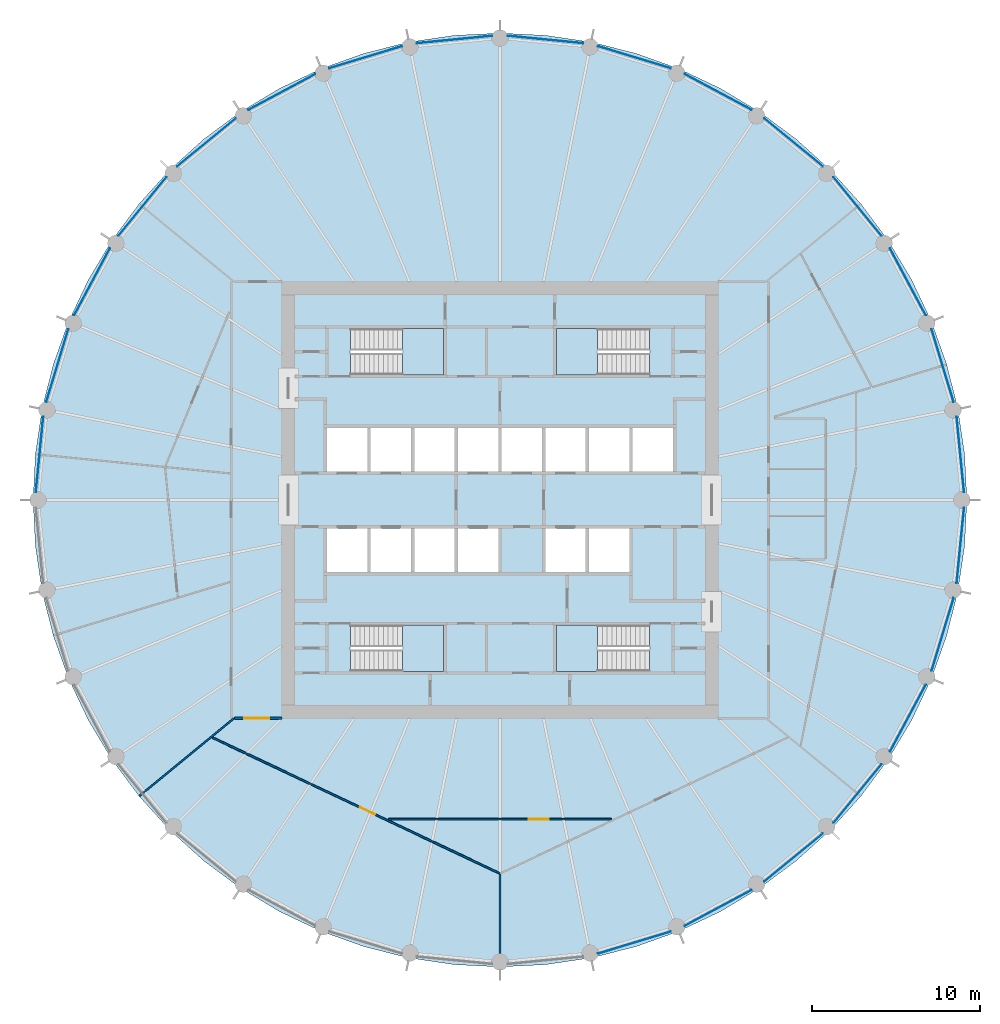
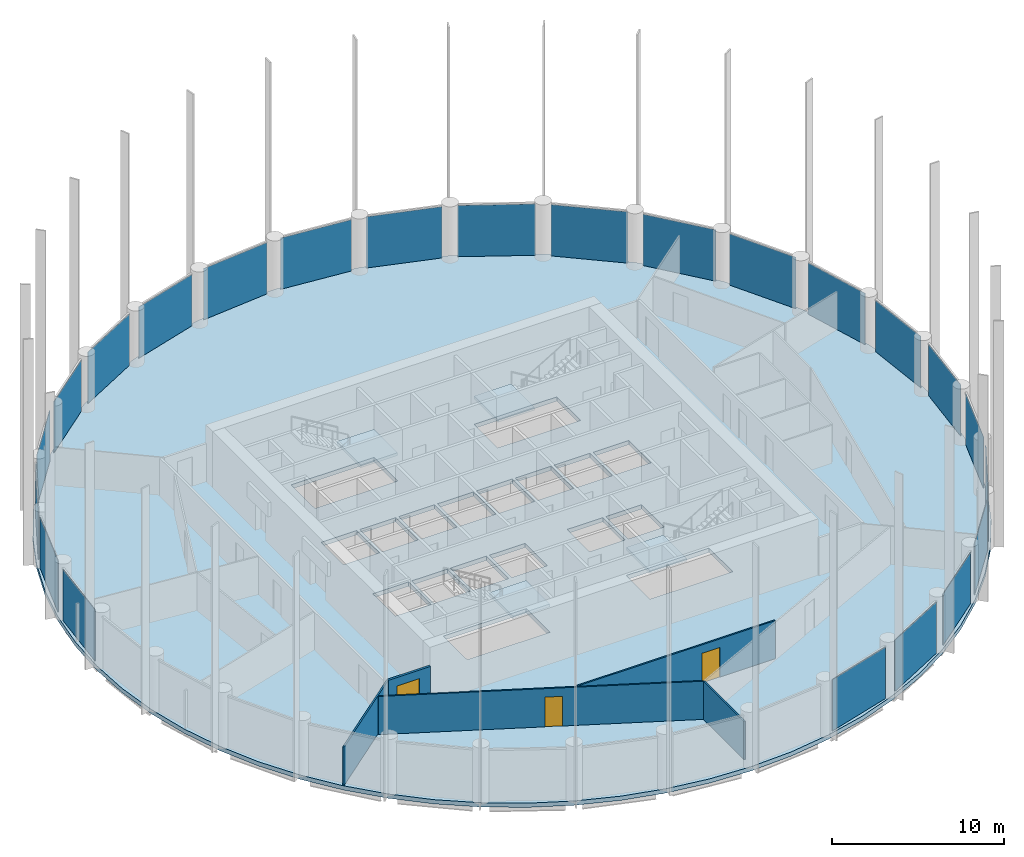
# One storey, part 3 of 9: 23 plates, 5 slabs, 5 walls, 3 doors, 3 openings, 27 elements without a shape of their own.
"""IFC4 building model written with IfcOpenShell, lengths in metres."""

from ifc_helpers import new_model, si_unit, direction, frame, frame_2d, origin, origin_2d, place, context, subcontext, project, spatial, polyline, rectangle, outline, extrude, material, layer, layer_set, type_object, element, fill, aggregate, save


model = new_model("IFC4")

# Units and contexts
model_context = context("Model", 3, precision=1e-05, world=origin(), true_north=direction((0.0, 1.0)))
body_context = subcontext(model_context, "Body", "Model", "MODEL_VIEW")
ifc_project = project(units=[si_unit("LENGTHUNIT", "METRE"), si_unit("AREAUNIT", "SQUARE_METRE"), si_unit("VOLUMEUNIT", "CUBIC_METRE"), si_unit("PLANEANGLEUNIT", "RADIAN"), si_unit("MASSUNIT", "GRAM", prefix="KILO")], contexts=[model_context])

# Site, building, storey
site_placement = place(None, origin())
site = spatial("IfcSite", under=ifc_project, at=site_placement, CompositionType="ELEMENT")
building_placement = place(site_placement, origin())
building = spatial("IfcBuilding", under=site, at=building_placement, Name="Corvane Civic Tower", CompositionType="ELEMENT")
storey_placement = place(building_placement, frame((0.0, 0.0, 217.5)))
storey = spatial("IfcBuildingStorey", under=building, at=storey_placement, Name="L51", CompositionType="ELEMENT", Elevation=217.5)

# Slab
ifc_material_1 = material(Name="Concrete C40/50", Category="concrete")
ifc_layer_1 = layer(ifc_material_1, 0.300048828125)
ifc_layer_set_1 = layer_set([ifc_layer_1], Name="Concrete C40/50")
slab_type_1 = type_object("IfcSlabType", Name="FLOOR SLAB 300", PredefinedType="FLOOR", material=ifc_layer_set_1)
slab_1_placement = place(storey_placement, frame((0.0, 0.0, -0.300048828125)))
element("IfcSlab", 1, at=slab_1_placement, inside=storey, type_object=slab_type_1, Name="SLB-L51", PredefinedType="FLOOR", context=body_context, shape_type="SweptSolid", body=[
    extrude(outline(polyline([(0.0, 27.800048828125), (-2.724853515625, 27.666015625), (-5.423583984375, 27.265869140625), (-8.06982421875, 26.60302734375), (-10.638671875, 25.683837890625), (-13.104736328125, 24.517333984375), (-15.44482421875, 23.11474609375), (-17.63623046875, 21.48974609375), (-19.657470703125, 19.657470703125), (-21.48974609375, 17.63623046875), (-23.11474609375, 15.44482421875), (-24.517333984375, 13.104736328125), (-25.683837890625, 10.638671875), (-26.60302734375, 8.06982421875), (-27.265869140625, 5.423583984375), (-27.666015625, 2.724853515625), (-27.800048828125, 0.0), (-27.666015625, -2.724853515625), (-27.265869140625, -5.423583984375), (-26.60302734375, -8.06982421875), (-25.683837890625, -10.638671875), (-24.517333984375, -13.104736328125), (-23.11474609375, -15.44482421875), (-21.48974609375, -17.63623046875), (-19.657470703125, -19.657470703125), (-17.63623046875, -21.48974609375), (-15.44482421875, -23.11474609375), (-13.104736328125, -24.517333984375), (-10.638671875, -25.683837890625), (-8.06982421875, -26.60302734375), (-5.423583984375, -27.265869140625), (-2.724853515625, -27.666015625), (0.0, -27.800048828125), (2.724853515625, -27.666015625), (5.423583984375, -27.265869140625), (8.06982421875, -26.60302734375), (10.638671875, -25.683837890625), (13.104736328125, -24.517333984375), (15.44482421875, -23.11474609375), (17.63623046875, -21.48974609375), (19.657470703125, -19.657470703125), (21.48974609375, -17.63623046875), (23.11474609375, -15.44482421875), (24.517333984375, -13.104736328125), (25.683837890625, -10.638671875), (26.60302734375, -8.06982421875), (27.265869140625, -5.423583984375), (27.666015625, -2.724853515625), (27.800048828125, 0.0), (27.666015625, 2.724853515625), (27.265869140625, 5.423583984375), (26.60302734375, 8.06982421875), (25.683837890625, 10.638671875), (24.517333984375, 13.104736328125), (23.11474609375, 15.44482421875), (21.48974609375, 17.63623046875), (19.657470703125, 19.657470703125), (17.63623046875, 21.48974609375), (15.44482421875, 23.11474609375), (13.104736328125, 24.517333984375), (10.638671875, 25.683837890625), (8.06982421875, 26.60302734375), (5.423583984375, 27.265869140625), (2.724853515625, 27.666015625), (0.0, 27.800048828125)]), holes=[polyline([(-7.89990234375, 1.699951171875), (-10.300048828125, 1.699951171875), (-10.300048828125, 4.300048828125), (-7.89990234375, 4.300048828125), (-7.89990234375, 1.699951171875)]), polyline([(-5.300048828125, 1.699951171875), (-7.699951171875, 1.699951171875), (-7.699951171875, 4.300048828125), (-5.300048828125, 4.300048828125), (-5.300048828125, 1.699951171875)]), polyline([(-5.10009765625, 4.300048828125), (-2.699951171875, 4.300048828125), (-2.699951171875, 1.699951171875), (-5.10009765625, 1.699951171875), (-5.10009765625, 4.300048828125)]), polyline([(-2.5, 4.300048828125), (-0.10009765625, 4.300048828125), (-0.10009765625, 1.699951171875), (-2.5, 1.699951171875), (-2.5, 4.300048828125)]), polyline([(0.10009765625, 4.300048828125), (2.5, 4.300048828125), (2.5, 1.699951171875), (0.10009765625, 1.699951171875), (0.10009765625, 4.300048828125)]), polyline([(5.10009765625, 4.300048828125), (5.10009765625, 1.699951171875), (2.699951171875, 1.699951171875), (2.699951171875, 4.300048828125), (5.10009765625, 4.300048828125)]), polyline([(5.300048828125, 4.300048828125), (7.699951171875, 4.300048828125), (7.699951171875, 1.699951171875), (5.300048828125, 1.699951171875), (5.300048828125, 4.300048828125)]), polyline([(7.89990234375, 4.300048828125), (10.300048828125, 4.300048828125), (10.300048828125, 1.699951171875), (7.89990234375, 1.699951171875), (7.89990234375, 4.300048828125)]), polyline([(-10.300048828125, -4.300048828125), (-10.300048828125, -1.699951171875), (-7.89990234375, -1.699951171875), (-7.89990234375, -4.300048828125), (-10.300048828125, -4.300048828125)]), polyline([(-7.699951171875, -4.300048828125), (-7.699951171875, -1.699951171875), (-5.300048828125, -1.699951171875), (-5.300048828125, -4.300048828125), (-7.699951171875, -4.300048828125)]), polyline([(-2.699951171875, -4.300048828125), (-5.10009765625, -4.300048828125), (-5.10009765625, -1.699951171875), (-2.699951171875, -1.699951171875), (-2.699951171875, -4.300048828125)]), polyline([(-0.10009765625, -4.300048828125), (-2.5, -4.300048828125), (-2.5, -1.699951171875), (-0.10009765625, -1.699951171875), (-0.10009765625, -4.300048828125)]), polyline([(5.10009765625, -1.699951171875), (5.10009765625, -4.300048828125), (2.699951171875, -4.300048828125), (2.699951171875, -1.699951171875), (5.10009765625, -1.699951171875)]), polyline([(7.699951171875, -1.699951171875), (7.699951171875, -4.300048828125), (5.300048828125, -4.300048828125), (5.300048828125, -1.699951171875), (7.699951171875, -1.699951171875)]), polyline([(8.889892578125, 10.199951171875), (8.889892578125, 7.449951171875), (3.35009765625, 7.449951171875), (3.35009765625, 10.199951171875), (8.889892578125, 10.199951171875)]), polyline([(-8.889892578125, 7.449951171875), (-8.889892578125, 10.199951171875), (-3.35009765625, 10.199951171875), (-3.35009765625, 7.449951171875), (-8.889892578125, 7.449951171875)]), polyline([(8.889892578125, -7.449951171875), (8.889892578125, -10.199951171875), (3.35009765625, -10.199951171875), (3.35009765625, -7.449951171875), (8.889892578125, -7.449951171875)]), polyline([(-8.889892578125, -10.199951171875), (-8.889892578125, -7.449951171875), (-3.35009765625, -7.449951171875), (-3.35009765625, -10.199951171875), (-8.889892578125, -10.199951171875)])]), origin(), (0.0, 0.0, 1.0), 0.300048828125),
])

# Stair, slab
ifc_material_2 = material(Name="Concrete C40/50", Category="concrete")
stair_type = type_object("IfcStairType", Name="ST-STAIR-HALFTURN", PredefinedType="HALF_TURN_STAIR", material=ifc_material_2)
stair_1_placement = place(storey_placement, origin())
stair_1 = element("IfcStair", 2, at=stair_1_placement, inside=storey, type_object=stair_type, Name="L51 Exit stair ST1", PredefinedType="HALF_TURN_STAIR")
ifc_material_3 = material(Name="Concrete C40/50", Category="concrete")
ifc_layer_2 = layer(ifc_material_3, 0.199951171875)
ifc_layer_set_2 = layer_set([ifc_layer_2], Name="Concrete C40/50")
slab_type_2 = type_object("IfcSlabType", Name="ST-LANDING-RC", PredefinedType="LANDING", material=ifc_layer_set_2)
slab_2_placement = place(storey_placement, frame((0.0, 0.0, 1.800048828125)))
slab_2 = element("IfcSlab", 3, at=slab_2_placement, type_object=slab_type_2, Name="ST1 landing 1", PredefinedType="LANDING", context=body_context, shape_type="SweptSolid", body=[
    extrude(outline(polyline([(5.820068359375, 10.199951171875), (3.35009765625, 10.199951171875), (3.35009765625, 7.449951171875), (5.820068359375, 7.449951171875), (5.820068359375, 10.199951171875)])), origin(), (0.0, 0.0, 1.0), 0.199951171875),
])
aggregate(stair_1, [slab_2])

stair_2_placement = place(storey_placement, origin())
stair_2 = element("IfcStair", 4, at=stair_2_placement, inside=storey, type_object=stair_type, Name="L51 Exit stair ST2", PredefinedType="HALF_TURN_STAIR")
slab_3_placement = place(storey_placement, frame((0.0, 0.0, 1.800048828125)))
slab_3 = element("IfcSlab", 5, at=slab_3_placement, type_object=slab_type_2, Name="ST2 landing 1", PredefinedType="LANDING", context=body_context, shape_type="SweptSolid", body=[
    extrude(outline(polyline([(5.820068359375, -7.449951171875), (3.35009765625, -7.449951171875), (3.35009765625, -10.199951171875), (5.820068359375, -10.199951171875), (5.820068359375, -7.449951171875)])), origin(), (0.0, 0.0, 1.0), 0.199951171875),
])
aggregate(stair_2, [slab_3])

stair_3_placement = place(storey_placement, origin())
stair_3 = element("IfcStair", 6, at=stair_3_placement, inside=storey, type_object=stair_type, Name="L51 Exit stair ST3", PredefinedType="HALF_TURN_STAIR")
slab_4_placement = place(storey_placement, frame((0.0, 0.0, 1.800048828125)))
slab_4 = element("IfcSlab", 7, at=slab_4_placement, type_object=slab_type_2, Name="ST3 landing 1", PredefinedType="LANDING", context=body_context, shape_type="SweptSolid", body=[
    extrude(outline(polyline([(-5.820068359375, -10.199951171875), (-3.35009765625, -10.199951171875), (-3.35009765625, -7.449951171875), (-5.820068359375, -7.449951171875), (-5.820068359375, -10.199951171875)])), origin(), (0.0, 0.0, 1.0), 0.199951171875),
])
aggregate(stair_3, [slab_4])

stair_4_placement = place(storey_placement, origin())
stair_4 = element("IfcStair", 8, at=stair_4_placement, inside=storey, type_object=stair_type, Name="L51 Exit stair ST4", PredefinedType="HALF_TURN_STAIR")
slab_5_placement = place(storey_placement, frame((0.0, 0.0, 1.800048828125)))
slab_5 = element("IfcSlab", 9, at=slab_5_placement, type_object=slab_type_2, Name="ST4 landing 1", PredefinedType="LANDING", context=body_context, shape_type="SweptSolid", body=[
    extrude(outline(polyline([(-5.820068359375, 7.449951171875), (-3.35009765625, 7.449951171875), (-3.35009765625, 10.199951171875), (-5.820068359375, 10.199951171875), (-5.820068359375, 7.449951171875)])), origin(), (0.0, 0.0, 1.0), 0.199951171875),
])
aggregate(stair_4, [slab_5])

# Curtain wall, plate
ifc_material_4 = material(Name="Anodised aluminium bronze", Category="aluminium")
curtain_wall_type = type_object("IfcCurtainWallType", Name="TOWER CW-T2 STICK CURTAIN WALL", PredefinedType="NOTDEFINED", material=ifc_material_4)
curtain_wall_1_placement = place(storey_placement, origin())
curtain_wall_1 = element("IfcCurtainWall", 10, at=curtain_wall_1_placement, inside=storey, type_object=curtain_wall_type, Name="Curtain wall CW-T2 L51 bay 01", PredefinedType="NOTDEFINED")
ifc_material_5 = material(Name="Tinted glass", Category="glass")
ifc_layer_3 = layer(ifc_material_5, 0.031982421875)
ifc_layer_set_3 = layer_set([ifc_layer_3], Name="Tinted glass")
plate_type = type_object("IfcPlateType", Name="TOWER CW-T2 PANEL IGU32", PredefinedType="CURTAIN_PANEL", material=ifc_layer_set_3)
plate_1_placement = place(storey_placement, frame((2.699951171875, 27.4140625, 0.0), z_axis=(0.0, 0.0, 1.0), x_axis=(0.995187058378, -0.097993463235, 0.0)))
plate_1 = element("IfcPlate", 11, at=plate_1_placement, type_object=plate_type, Name="Glass panel CW-T2 L51 01.1", PredefinedType="CURTAIN_PANEL", context=body_context, shape_type="SweptSolid", body=[
    extrude(rectangle(XDim=4.517333984375, YDim=0.031982421875, at=origin_2d()), origin(), (0.0, 0.0, 1.0), 3.6298828125),
])
aggregate(curtain_wall_1, [plate_1])

curtain_wall_2_placement = place(storey_placement, origin())
curtain_wall_2 = element("IfcCurtainWall", 12, at=curtain_wall_2_placement, inside=storey, type_object=curtain_wall_type, Name="Curtain wall CW-T2 L51 bay 02", PredefinedType="NOTDEFINED")
plate_2_placement = place(storey_placement, frame((7.996337890625, 26.360595703125, 0.0), z_axis=(0.0, 0.0, 1.0), x_axis=(0.956938843612, -0.290289596069, 0.0)))
plate_2 = element("IfcPlate", 13, at=plate_2_placement, type_object=plate_type, Name="Glass panel CW-T2 L51 02.1", PredefinedType="CURTAIN_PANEL", context=body_context, shape_type="SweptSolid", body=[
    extrude(rectangle(XDim=4.517333984375, YDim=0.031982421875, at=origin_2d()), origin(), (0.0, 0.0, 1.0), 3.6298828125),
])
aggregate(curtain_wall_2, [plate_2])

curtain_wall_3_placement = place(storey_placement, origin())
curtain_wall_3 = element("IfcCurtainWall", 14, at=curtain_wall_3_placement, inside=storey, type_object=curtain_wall_type, Name="Curtain wall CW-T2 L51 bay 03", PredefinedType="NOTDEFINED")
plate_3_placement = place(storey_placement, frame((12.9853515625, 24.294189453125, 0.0), z_axis=(0.0, 0.0, 1.0), x_axis=(0.881920381001, -0.471398389449, 0.0)))
plate_3 = element("IfcPlate", 15, at=plate_3_placement, type_object=plate_type, Name="Glass panel CW-T2 L51 03.1", PredefinedType="CURTAIN_PANEL", context=body_context, shape_type="SweptSolid", body=[
    extrude(rectangle(XDim=4.517333984375, YDim=0.031982421875, at=origin_2d()), origin(), (0.0, 0.0, 1.0), 3.6298828125),
])
aggregate(curtain_wall_3, [plate_3])

curtain_wall_4_placement = place(storey_placement, origin())
curtain_wall_4 = element("IfcCurtainWall", 16, at=curtain_wall_4_placement, inside=storey, type_object=curtain_wall_type, Name="Curtain wall CW-T2 L51 bay 04", PredefinedType="NOTDEFINED")
plate_4_placement = place(storey_placement, frame((17.475341796875, 21.2939453125, 0.0), z_axis=(0.0, 0.0, 1.0), x_axis=(0.773012269331, -0.634391071394, 0.0)))
plate_4 = element("IfcPlate", 17, at=plate_4_placement, type_object=plate_type, Name="Glass panel CW-T2 L51 04.1", PredefinedType="CURTAIN_PANEL", context=body_context, shape_type="SweptSolid", body=[
    extrude(rectangle(XDim=4.517333984375, YDim=0.031982421875, at=origin_2d()), origin(), (0.0, 0.0, 1.0), 3.6298828125),
])
aggregate(curtain_wall_4, [plate_4])

curtain_wall_5_placement = place(storey_placement, origin())
curtain_wall_5 = element("IfcCurtainWall", 18, at=curtain_wall_5_placement, inside=storey, type_object=curtain_wall_type, Name="Curtain wall CW-T2 L51 bay 05", PredefinedType="NOTDEFINED")
plate_5_placement = place(storey_placement, frame((21.2939453125, 17.475341796875, 0.0), z_axis=(0.0, 0.0, 1.0), x_axis=(0.634391071394, -0.773012269331, 0.0)))
plate_5 = element("IfcPlate", 19, at=plate_5_placement, type_object=plate_type, Name="Glass panel CW-T2 L51 05.1", PredefinedType="CURTAIN_PANEL", context=body_context, shape_type="SweptSolid", body=[
    extrude(rectangle(XDim=4.517333984375, YDim=0.031982421875, at=origin_2d()), origin(), (0.0, 0.0, 1.0), 3.6298828125),
])
aggregate(curtain_wall_5, [plate_5])

curtain_wall_6_placement = place(storey_placement, origin())
curtain_wall_6 = element("IfcCurtainWall", 20, at=curtain_wall_6_placement, inside=storey, type_object=curtain_wall_type, Name="Curtain wall CW-T2 L51 bay 06", PredefinedType="NOTDEFINED")
plate_6_placement = place(storey_placement, frame((24.294189453125, 12.9853515625, 0.0), z_axis=(0.0, 0.0, 1.0), x_axis=(0.471398389449, -0.881920381001, 0.0)))
plate_6 = element("IfcPlate", 21, at=plate_6_placement, type_object=plate_type, Name="Glass panel CW-T2 L51 06.1", PredefinedType="CURTAIN_PANEL", context=body_context, shape_type="SweptSolid", body=[
    extrude(rectangle(XDim=4.517333984375, YDim=0.031982421875, at=origin_2d()), origin(), (0.0, 0.0, 1.0), 3.6298828125),
])
aggregate(curtain_wall_6, [plate_6])

curtain_wall_7_placement = place(storey_placement, origin())
curtain_wall_7 = element("IfcCurtainWall", 22, at=curtain_wall_7_placement, inside=storey, type_object=curtain_wall_type, Name="Curtain wall CW-T2 L51 bay 07", PredefinedType="NOTDEFINED")
plate_7_placement = place(storey_placement, frame((26.360595703125, 7.996337890625, 0.0), z_axis=(0.0, 0.0, 1.0), x_axis=(0.290289596069, -0.956938843612, 0.0)))
plate_7 = element("IfcPlate", 23, at=plate_7_placement, type_object=plate_type, Name="Glass panel CW-T2 L51 07.1", PredefinedType="CURTAIN_PANEL", context=body_context, shape_type="SweptSolid", body=[
    extrude(rectangle(XDim=4.517333984375, YDim=0.031982421875, at=origin_2d()), origin(), (0.0, 0.0, 1.0), 3.6298828125),
])
aggregate(curtain_wall_7, [plate_7])

curtain_wall_8_placement = place(storey_placement, origin())
curtain_wall_8 = element("IfcCurtainWall", 24, at=curtain_wall_8_placement, inside=storey, type_object=curtain_wall_type, Name="Curtain wall CW-T2 L51 bay 08", PredefinedType="NOTDEFINED")
plate_8_placement = place(storey_placement, frame((27.4140625, 2.699951171875, 0.0), z_axis=(0.0, 0.0, 1.0), x_axis=(0.097993463235, -0.995187058378, 0.0)))
plate_8 = element("IfcPlate", 25, at=plate_8_placement, type_object=plate_type, Name="Glass panel CW-T2 L51 08.1", PredefinedType="CURTAIN_PANEL", context=body_context, shape_type="SweptSolid", body=[
    extrude(rectangle(XDim=4.517333984375, YDim=0.031982421875, at=origin_2d()), origin(), (0.0, 0.0, 1.0), 3.6298828125),
])
aggregate(curtain_wall_8, [plate_8])

curtain_wall_9_placement = place(storey_placement, origin())
curtain_wall_9 = element("IfcCurtainWall", 26, at=curtain_wall_9_placement, inside=storey, type_object=curtain_wall_type, Name="Curtain wall CW-T2 L51 bay 09", PredefinedType="NOTDEFINED")
plate_9_placement = place(storey_placement, frame((27.4140625, -2.699951171875, 0.0), z_axis=(0.0, 0.0, 1.0), x_axis=(-0.097993463235, -0.995187058378, 0.0)))
plate_9 = element("IfcPlate", 27, at=plate_9_placement, type_object=plate_type, Name="Glass panel CW-T2 L51 09.1", PredefinedType="CURTAIN_PANEL", context=body_context, shape_type="SweptSolid", body=[
    extrude(rectangle(XDim=4.517333984375, YDim=0.031982421875, at=origin_2d()), origin(), (0.0, 0.0, 1.0), 3.6298828125),
])
aggregate(curtain_wall_9, [plate_9])

curtain_wall_10_placement = place(storey_placement, origin())
curtain_wall_10 = element("IfcCurtainWall", 28, at=curtain_wall_10_placement, inside=storey, type_object=curtain_wall_type, Name="Curtain wall CW-T2 L51 bay 10", PredefinedType="NOTDEFINED")
plate_10_placement = place(storey_placement, frame((26.360595703125, -7.996337890625, 0.0), z_axis=(0.0, 0.0, 1.0), x_axis=(-0.290289596069, -0.956938843612, 0.0)))
plate_10 = element("IfcPlate", 29, at=plate_10_placement, type_object=plate_type, Name="Glass panel CW-T2 L51 10.1", PredefinedType="CURTAIN_PANEL", context=body_context, shape_type="SweptSolid", body=[
    extrude(rectangle(XDim=4.517333984375, YDim=0.031982421875, at=origin_2d()), origin(), (0.0, 0.0, 1.0), 3.6298828125),
])
aggregate(curtain_wall_10, [plate_10])

curtain_wall_11_placement = place(storey_placement, origin())
curtain_wall_11 = element("IfcCurtainWall", 30, at=curtain_wall_11_placement, inside=storey, type_object=curtain_wall_type, Name="Curtain wall CW-T2 L51 bay 11", PredefinedType="NOTDEFINED")
plate_11_placement = place(storey_placement, frame((24.294189453125, -12.9853515625, 0.0), z_axis=(0.0, 0.0, 1.0), x_axis=(-0.471398389449, -0.881920381001, 0.0)))
plate_11 = element("IfcPlate", 31, at=plate_11_placement, type_object=plate_type, Name="Glass panel CW-T2 L51 11.1", PredefinedType="CURTAIN_PANEL", context=body_context, shape_type="SweptSolid", body=[
    extrude(rectangle(XDim=4.517333984375, YDim=0.031982421875, at=origin_2d()), origin(), (0.0, 0.0, 1.0), 3.6298828125),
])
aggregate(curtain_wall_11, [plate_11])

curtain_wall_12_placement = place(storey_placement, origin())
curtain_wall_12 = element("IfcCurtainWall", 32, at=curtain_wall_12_placement, inside=storey, type_object=curtain_wall_type, Name="Curtain wall CW-T2 L51 bay 12", PredefinedType="NOTDEFINED")
plate_12_placement = place(storey_placement, frame((21.2939453125, -17.475341796875, 0.0), z_axis=(0.0, 0.0, 1.0), x_axis=(-0.634391071394, -0.773012269331, 0.0)))
plate_12 = element("IfcPlate", 33, at=plate_12_placement, type_object=plate_type, Name="Glass panel CW-T2 L51 12.1", PredefinedType="CURTAIN_PANEL", context=body_context, shape_type="SweptSolid", body=[
    extrude(rectangle(XDim=4.517333984375, YDim=0.031982421875, at=origin_2d()), origin(), (0.0, 0.0, 1.0), 3.6298828125),
])
aggregate(curtain_wall_12, [plate_12])

curtain_wall_13_placement = place(storey_placement, origin())
curtain_wall_13 = element("IfcCurtainWall", 34, at=curtain_wall_13_placement, inside=storey, type_object=curtain_wall_type, Name="Curtain wall CW-T2 L51 bay 13", PredefinedType="NOTDEFINED")
plate_13_placement = place(storey_placement, frame((17.475341796875, -21.2939453125, 0.0), z_axis=(0.0, 0.0, 1.0), x_axis=(-0.773012269331, -0.634391071394, 0.0)))
plate_13 = element("IfcPlate", 35, at=plate_13_placement, type_object=plate_type, Name="Glass panel CW-T2 L51 13.1", PredefinedType="CURTAIN_PANEL", context=body_context, shape_type="SweptSolid", body=[
    extrude(rectangle(XDim=4.517333984375, YDim=0.031982421875, at=origin_2d()), origin(), (0.0, 0.0, 1.0), 3.6298828125),
])
aggregate(curtain_wall_13, [plate_13])

curtain_wall_14_placement = place(storey_placement, origin())
curtain_wall_14 = element("IfcCurtainWall", 36, at=curtain_wall_14_placement, inside=storey, type_object=curtain_wall_type, Name="Curtain wall CW-T2 L51 bay 14", PredefinedType="NOTDEFINED")
plate_14_placement = place(storey_placement, frame((12.9853515625, -24.294189453125, 0.0), z_axis=(0.0, 0.0, 1.0), x_axis=(-0.881920381001, -0.471398389449, 0.0)))
plate_14 = element("IfcPlate", 37, at=plate_14_placement, type_object=plate_type, Name="Glass panel CW-T2 L51 14.1", PredefinedType="CURTAIN_PANEL", context=body_context, shape_type="SweptSolid", body=[
    extrude(rectangle(XDim=4.517333984375, YDim=0.031982421875, at=origin_2d()), origin(), (0.0, 0.0, 1.0), 3.6298828125),
])
aggregate(curtain_wall_14, [plate_14])

curtain_wall_15_placement = place(storey_placement, origin())
curtain_wall_15 = element("IfcCurtainWall", 38, at=curtain_wall_15_placement, inside=storey, type_object=curtain_wall_type, Name="Curtain wall CW-T2 L51 bay 15", PredefinedType="NOTDEFINED")
plate_15_placement = place(storey_placement, frame((7.996337890625, -26.360595703125, 0.0), z_axis=(0.0, 0.0, 1.0), x_axis=(-0.956938843612, -0.290289596069, 0.0)))
plate_15 = element("IfcPlate", 39, at=plate_15_placement, type_object=plate_type, Name="Glass panel CW-T2 L51 15.1", PredefinedType="CURTAIN_PANEL", context=body_context, shape_type="SweptSolid", body=[
    extrude(rectangle(XDim=4.517333984375, YDim=0.031982421875, at=origin_2d()), origin(), (0.0, 0.0, 1.0), 3.6298828125),
])
aggregate(curtain_wall_15, [plate_15])

curtain_wall_16_placement = place(storey_placement, origin())
curtain_wall_16 = element("IfcCurtainWall", 40, at=curtain_wall_16_placement, inside=storey, type_object=curtain_wall_type, Name="Curtain wall CW-T2 L51 bay 25", PredefinedType="NOTDEFINED")
plate_16_placement = place(storey_placement, frame((-27.4140625, 2.699951171875, 0.0), z_axis=(0.0, 0.0, 1.0), x_axis=(0.097993463235, 0.995187058378, 0.0)))
plate_16 = element("IfcPlate", 41, at=plate_16_placement, type_object=plate_type, Name="Glass panel CW-T2 L51 25.1", PredefinedType="CURTAIN_PANEL", context=body_context, shape_type="SweptSolid", body=[
    extrude(rectangle(XDim=4.517333984375, YDim=0.031982421875, at=origin_2d()), origin(), (0.0, 0.0, 1.0), 3.6298828125),
])
aggregate(curtain_wall_16, [plate_16])

curtain_wall_17_placement = place(storey_placement, origin())
curtain_wall_17 = element("IfcCurtainWall", 42, at=curtain_wall_17_placement, inside=storey, type_object=curtain_wall_type, Name="Curtain wall CW-T2 L51 bay 26", PredefinedType="NOTDEFINED")
plate_17_placement = place(storey_placement, frame((-26.360595703125, 7.996337890625, 0.0), z_axis=(0.0, 0.0, 1.0), x_axis=(0.290289596069, 0.956938843612, 0.0)))
plate_17 = element("IfcPlate", 43, at=plate_17_placement, type_object=plate_type, Name="Glass panel CW-T2 L51 26.1", PredefinedType="CURTAIN_PANEL", context=body_context, shape_type="SweptSolid", body=[
    extrude(rectangle(XDim=4.517333984375, YDim=0.031982421875, at=origin_2d()), origin(), (0.0, 0.0, 1.0), 3.6298828125),
])
aggregate(curtain_wall_17, [plate_17])

curtain_wall_18_placement = place(storey_placement, origin())
curtain_wall_18 = element("IfcCurtainWall", 44, at=curtain_wall_18_placement, inside=storey, type_object=curtain_wall_type, Name="Curtain wall CW-T2 L51 bay 27", PredefinedType="NOTDEFINED")
plate_18_placement = place(storey_placement, frame((-24.294189453125, 12.9853515625, 0.0), z_axis=(0.0, 0.0, 1.0), x_axis=(0.471398389449, 0.881920381001, 0.0)))
plate_18 = element("IfcPlate", 45, at=plate_18_placement, type_object=plate_type, Name="Glass panel CW-T2 L51 27.1", PredefinedType="CURTAIN_PANEL", context=body_context, shape_type="SweptSolid", body=[
    extrude(rectangle(XDim=4.517333984375, YDim=0.031982421875, at=origin_2d()), origin(), (0.0, 0.0, 1.0), 3.6298828125),
])
aggregate(curtain_wall_18, [plate_18])

curtain_wall_19_placement = place(storey_placement, origin())
curtain_wall_19 = element("IfcCurtainWall", 46, at=curtain_wall_19_placement, inside=storey, type_object=curtain_wall_type, Name="Curtain wall CW-T2 L51 bay 28", PredefinedType="NOTDEFINED")
plate_19_placement = place(storey_placement, frame((-21.2939453125, 17.475341796875, 0.0), z_axis=(0.0, 0.0, 1.0), x_axis=(0.634391071394, 0.773012269331, 0.0)))
plate_19 = element("IfcPlate", 47, at=plate_19_placement, type_object=plate_type, Name="Glass panel CW-T2 L51 28.1", PredefinedType="CURTAIN_PANEL", context=body_context, shape_type="SweptSolid", body=[
    extrude(rectangle(XDim=4.517333984375, YDim=0.031982421875, at=origin_2d()), origin(), (0.0, 0.0, 1.0), 3.6298828125),
])
aggregate(curtain_wall_19, [plate_19])

curtain_wall_20_placement = place(storey_placement, origin())
curtain_wall_20 = element("IfcCurtainWall", 48, at=curtain_wall_20_placement, inside=storey, type_object=curtain_wall_type, Name="Curtain wall CW-T2 L51 bay 29", PredefinedType="NOTDEFINED")
plate_20_placement = place(storey_placement, frame((-17.475341796875, 21.2939453125, 0.0), z_axis=(0.0, 0.0, 1.0), x_axis=(0.773012269331, 0.634391071394, 0.0)))
plate_20 = element("IfcPlate", 49, at=plate_20_placement, type_object=plate_type, Name="Glass panel CW-T2 L51 29.1", PredefinedType="CURTAIN_PANEL", context=body_context, shape_type="SweptSolid", body=[
    extrude(rectangle(XDim=4.517333984375, YDim=0.031982421875, at=origin_2d()), origin(), (0.0, 0.0, 1.0), 3.6298828125),
])
aggregate(curtain_wall_20, [plate_20])

curtain_wall_21_placement = place(storey_placement, origin())
curtain_wall_21 = element("IfcCurtainWall", 50, at=curtain_wall_21_placement, inside=storey, type_object=curtain_wall_type, Name="Curtain wall CW-T2 L51 bay 30", PredefinedType="NOTDEFINED")
plate_21_placement = place(storey_placement, frame((-12.9853515625, 24.294189453125, 0.0), z_axis=(0.0, 0.0, 1.0), x_axis=(0.881920381001, 0.471398389449, 0.0)))
plate_21 = element("IfcPlate", 51, at=plate_21_placement, type_object=plate_type, Name="Glass panel CW-T2 L51 30.1", PredefinedType="CURTAIN_PANEL", context=body_context, shape_type="SweptSolid", body=[
    extrude(rectangle(XDim=4.517333984375, YDim=0.031982421875, at=origin_2d()), origin(), (0.0, 0.0, 1.0), 3.6298828125),
])
aggregate(curtain_wall_21, [plate_21])

curtain_wall_22_placement = place(storey_placement, origin())
curtain_wall_22 = element("IfcCurtainWall", 52, at=curtain_wall_22_placement, inside=storey, type_object=curtain_wall_type, Name="Curtain wall CW-T2 L51 bay 31", PredefinedType="NOTDEFINED")
plate_22_placement = place(storey_placement, frame((-7.996337890625, 26.360595703125, 0.0), z_axis=(0.0, 0.0, 1.0), x_axis=(0.956938843612, 0.290289596069, 0.0)))
plate_22 = element("IfcPlate", 53, at=plate_22_placement, type_object=plate_type, Name="Glass panel CW-T2 L51 31.1", PredefinedType="CURTAIN_PANEL", context=body_context, shape_type="SweptSolid", body=[
    extrude(rectangle(XDim=4.517333984375, YDim=0.031982421875, at=origin_2d()), origin(), (0.0, 0.0, 1.0), 3.6298828125),
])
aggregate(curtain_wall_22, [plate_22])

curtain_wall_23_placement = place(storey_placement, origin())
curtain_wall_23 = element("IfcCurtainWall", 54, at=curtain_wall_23_placement, inside=storey, type_object=curtain_wall_type, Name="Curtain wall CW-T2 L51 bay 32", PredefinedType="NOTDEFINED")
plate_23_placement = place(storey_placement, frame((-2.699951171875, 27.4140625, 0.0), z_axis=(0.0, 0.0, 1.0), x_axis=(0.995187058378, 0.097993463235, 0.0)))
plate_23 = element("IfcPlate", 55, at=plate_23_placement, type_object=plate_type, Name="Glass panel CW-T2 L51 32.1", PredefinedType="CURTAIN_PANEL", context=body_context, shape_type="SweptSolid", body=[
    extrude(rectangle(XDim=4.517333984375, YDim=0.031982421875, at=origin_2d()), origin(), (0.0, 0.0, 1.0), 3.6298828125),
])
aggregate(curtain_wall_23, [plate_23])

# Wall
ifc_material_6 = material(Name="Plasterboard")
ifc_layer_4 = layer(ifc_material_6, 0.10009765625)
ifc_layer_set_4 = layer_set([ifc_layer_4], Name="Plasterboard")
wall_type_1 = type_object("IfcWallType", Name="Partition 100 plasterboard on studs", PredefinedType="PARTITIONING", material=ifc_layer_set_4)
wall_1_placement = place(storey_placement, frame((0.0, -26.989990234375, 0.0), z_axis=(0.0, 0.0, 1.0), x_axis=(0.0, 1.0, 0.0)))
element("IfcWall", 56, at=wall_1_placement, inside=storey, type_object=wall_type_1, Name="Partition L51.001", PredefinedType="PARTITIONING", context=body_context, shape_type="SweptSolid", body=[
    extrude(rectangle(XDim=4.714599609375, YDim=0.10009765625, at=frame_2d((2.357421875, 0.0))), origin(), (0.0, 0.0, 1.0), 2.699951171875),
])

# Wall, opening, door
wall_2_placement = place(storey_placement, frame((-17.123046875, -14.14501953125, 0.0), z_axis=(0.0, 0.0, 1.0), x_axis=(0.903991891137, -0.42754960035, 0.0)))
wall_2 = element("IfcWall", 57, at=wall_2_placement, inside=storey, type_object=wall_type_1, Name="Partition L51.002", PredefinedType="PARTITIONING", context=body_context, shape_type="SweptSolid", body=[
    extrude(rectangle(XDim=18.909912109375, YDim=0.10009765625, at=frame_2d((9.455078125, 0.0))), origin(), (0.0, 0.0, 1.0), 2.699951171875),
])
opening_1_placement = place(wall_2_placement, frame((9.711181640625, 0.0, 0.0)))
opening_1 = element("IfcOpeningElement", 58, at=opening_1_placement, cuts=wall_2, Name="Opening L51.003", PredefinedType="OPENING", context=body_context, shape_type="SweptSolid", body=[
    extrude(rectangle(XDim=1.0, YDim=2.10009765625, at=frame_2d((0.5, 1.050048828125))), frame((0.0, 0.06005859375, 0.0), z_axis=(0.0, -1.0, 0.0), x_axis=(1.0, 0.0, 0.0)), (0.0, 0.0, 1.0), 0.1201171875),
])
ifc_material_7 = material(Name="Timber", Category="wood")
door_type_1 = type_object("IfcDoorType", Name="Single door 1000", OperationType="NOTDEFINED", PredefinedType="DOOR", material=ifc_material_7)
door_1_placement = place(opening_1_placement, frame((1.0, 0.0, 0.0), z_axis=(0.0, 0.0, 1.0), x_axis=(-1.0, 0.0, 0.0)))
door_1 = element("IfcDoor", 59, at=door_1_placement, inside=storey, type_object=door_type_1, Name="Door L51.003", OperationType="SINGLE_SWING_RIGHT", OverallHeight=2.10009765625, OverallWidth=1.0, PredefinedType="DOOR", context=body_context, shape_type="SweptSolid", body=[
    extrude(rectangle(XDim=1.0, YDim=2.10009765625, at=frame_2d((0.5, 1.050048828125))), frame((0.0, 0.02490234375, 0.0), z_axis=(0.0, -1.0, 0.0), x_axis=(1.0, 0.0, 0.0)), (0.0, 0.0, 1.0), 0.050048828125),
])
fill(opening_1, door_1)

wall_3_placement = place(storey_placement, frame((-6.635498046875, -19.0, 0.0), z_axis=(0.0, 0.0, 1.0), x_axis=(1.0, 0.0, 0.0)))
wall_3 = element("IfcWall", 60, at=wall_3_placement, inside=storey, type_object=wall_type_1, Name="Partition L51.004", PredefinedType="PARTITIONING", context=body_context, shape_type="SweptSolid", body=[
    extrude(rectangle(XDim=13.27099609375, YDim=0.10009765625, at=frame_2d((6.635498046875, 0.0))), origin(), (0.0, 0.0, 1.0), 2.699951171875),
])
opening_2_placement = place(wall_3_placement, frame((8.34716796875, 0.0, 0.0)))
opening_2 = element("IfcOpeningElement", 61, at=opening_2_placement, cuts=wall_3, Name="Opening L51.004", PredefinedType="OPENING", context=body_context, shape_type="SweptSolid", body=[
    extrude(rectangle(XDim=1.199951171875, YDim=2.10009765625, at=frame_2d((0.60009765625, 1.050048828125))), frame((0.0, 0.06005859375, 0.0), z_axis=(0.0, -1.0, 0.0), x_axis=(1.0, 0.0, 0.0)), (0.0, 0.0, 1.0), 0.1201171875),
])
ifc_material_8 = material(Name="Timber", Category="wood")
door_type_2 = type_object("IfcDoorType", Name="Double door 1200", OperationType="NOTDEFINED", PredefinedType="DOOR", material=ifc_material_8)
door_2_placement = place(opening_2_placement, frame((1.199951171875, 0.0, 0.0), z_axis=(0.0, 0.0, 1.0), x_axis=(-1.0, 0.0, 0.0)))
door_2 = element("IfcDoor", 62, at=door_2_placement, inside=storey, type_object=door_type_2, Name="Door L51.004", OperationType="DOUBLE_DOOR_SINGLE_SWING", OverallHeight=2.10009765625, OverallWidth=1.199951171875, PredefinedType="DOOR", context=body_context, shape_type="SweptSolid", body=[
    extrude(rectangle(XDim=1.199951171875, YDim=2.10009765625, at=frame_2d((0.60009765625, 1.050048828125))), frame((0.0, 0.02490234375, 0.0), z_axis=(0.0, -1.0, 0.0), x_axis=(1.0, 0.0, 0.0)), (0.0, 0.0, 1.0), 0.050048828125),
])
fill(opening_2, door_2)

# Wall
wall_4_placement = place(storey_placement, frame((-21.451171875, -17.6044921875, 0.0), z_axis=(0.0, 0.0, 1.0), x_axis=(0.772997895748, 0.634408585352, 0.0)))
element("IfcWall", 63, at=wall_4_placement, inside=storey, type_object=wall_type_1, Name="Partition L51.005", PredefinedType="PARTITIONING", context=body_context, shape_type="SweptSolid", body=[
    extrude(rectangle(XDim=7.240234375, YDim=0.10009765625, at=frame_2d((3.6201171875, 0.0))), origin(), (0.0, 0.0, 1.0), 2.699951171875),
])

# Wall, opening, door
ifc_material_9 = material(Name="Plasterboard")
ifc_layer_5 = layer(ifc_material_9, 0.14990234375)
ifc_layer_set_5 = layer_set([ifc_layer_5], Name="Plasterboard")
wall_type_2 = type_object("IfcWallType", Name="Tenancy wall 150 EI 60", PredefinedType="PARTITIONING", material=ifc_layer_set_5)
wall_5_placement = place(storey_placement, frame((-15.813720703125, -13.0, 0.0), z_axis=(0.0, 0.0, 1.0), x_axis=(1.0, 0.0, 0.0)))
wall_5 = element("IfcWall", 64, at=wall_5_placement, inside=storey, type_object=wall_type_2, Name="Partition L51.009", PredefinedType="PARTITIONING", context=body_context, shape_type="SweptSolid", body=[
    extrude(rectangle(XDim=2.82373046875, YDim=0.14990234375, at=frame_2d((1.411865234375, 0.0))), origin(), (0.0, 0.0, 1.0), 2.699951171875),
])
opening_3_placement = place(wall_5_placement, frame((0.577392578125, 0.0, 0.0)))
opening_3 = element("IfcOpeningElement", 65, at=opening_3_placement, cuts=wall_5, Name="Opening L51.005", PredefinedType="OPENING", context=body_context, shape_type="SweptSolid", body=[
    extrude(rectangle(XDim=1.5, YDim=2.10009765625, at=frame_2d((0.75, 1.050048828125))), frame((0.0, 0.0849609375, 0.0), z_axis=(0.0, -1.0, 0.0), x_axis=(1.0, 0.0, 0.0)), (0.0, 0.0, 1.0), 0.169921875),
])
ifc_material_10 = material(Name="Steel and timber", Category="steel")
door_type_3 = type_object("IfcDoorType", Name="Fire door FD60 double 1500", OperationType="NOTDEFINED", PredefinedType="DOOR", material=ifc_material_10)
door_3_placement = place(opening_3_placement, frame((1.5, 0.0, 0.0), z_axis=(0.0, 0.0, 1.0), x_axis=(-1.0, 0.0, 0.0)))
door_3 = element("IfcDoor", 66, at=door_3_placement, inside=storey, type_object=door_type_3, Name="Door L51.005", OperationType="DOUBLE_DOOR_SINGLE_SWING", OverallHeight=2.10009765625, OverallWidth=1.5, PredefinedType="DOOR", context=body_context, shape_type="SweptSolid", body=[
    extrude(rectangle(XDim=1.5, YDim=2.10009765625, at=frame_2d((0.75, 1.050048828125))), frame((0.0, 0.02490234375, 0.0), z_axis=(0.0, -1.0, 0.0), x_axis=(1.0, 0.0, 0.0)), (0.0, 0.0, 1.0), 0.050048828125),
])
fill(opening_3, door_3)

save(model, "model.ifc")
